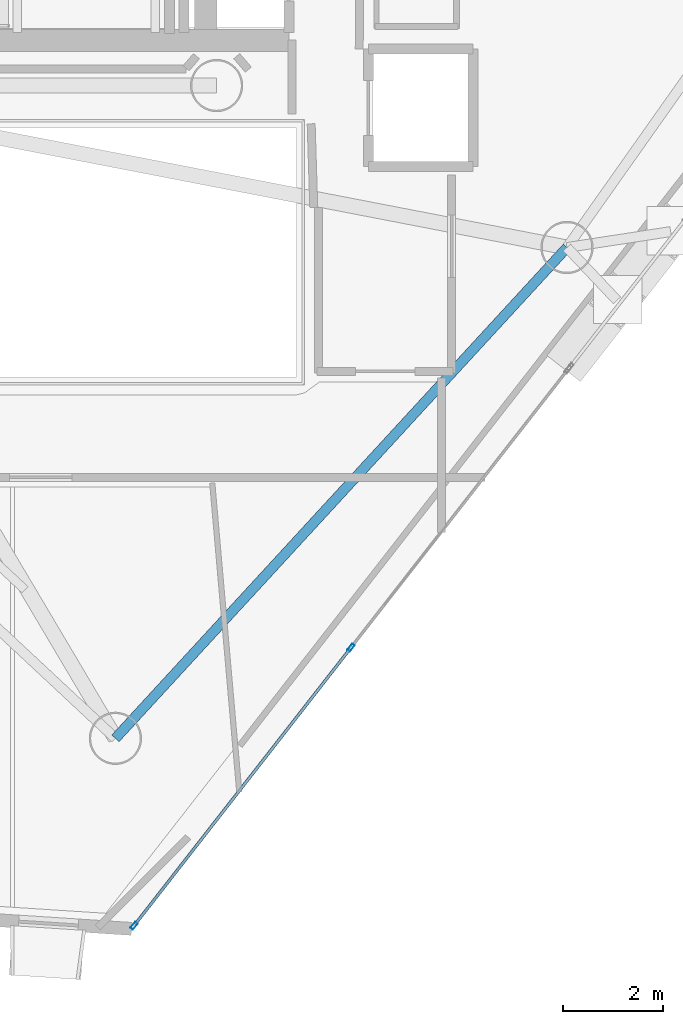
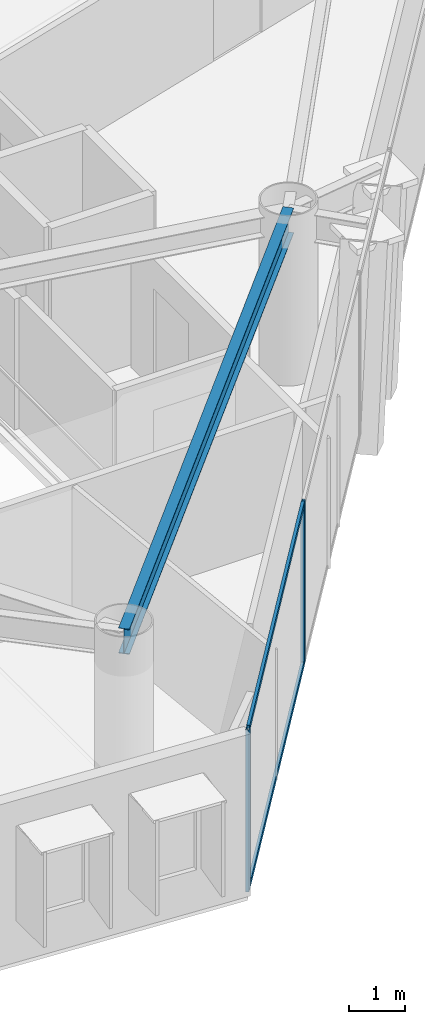
# One storey, part 4 of 18: 4 members, 1 beam, 1 element without a shape of its own.
"""IFC4 building model written with IfcOpenShell, lengths in metres."""

import ifcopenshell
import ifcopenshell.guid

model = None  # the IFC model being written
_history = None  # IfcOwnerHistory: only IFC2X3 demands one
_inside = {}  # id of a spatial element -> (the spatial element, [elements in it])
_under = {}  # id of a project, library or spatial element -> (it, [spatial elements below it])
_declared = {}  # id of a project -> (the project, [libraries it declares])
_typed = {}  # id of a type object -> (the type object, [elements of that type])
_made_of = {}  # id of a material, layer set ... -> (it, [elements and type objects made of it])


def new_model(schema):
    """Start an empty IFC model of exactly this schema.

    Asked for "IFC4X3", IfcOpenShell would pick the latest addendum, in which some entities
    have other attributes; the version numbers below select the first issue.
    IFC2X3 requires an IfcOwnerHistory on every rooted entity: one is made here for all.
    """
    global model, _history
    if schema == "IFC4X3":
        model = ifcopenshell.file(schema_version=(4, 3, 0, 0))
    else:
        model = ifcopenshell.file(schema=schema)
    _inside.clear()
    _under.clear()
    _declared.clear()
    _typed.clear()
    _made_of.clear()
    _history = None
    if model.schema == "IFC2X3":
        org = make("IfcOrganization", Name="unknown")
        user = make(
            "IfcPersonAndOrganization",
            ThePerson=make("IfcPerson", FamilyName="unknown"),
            TheOrganization=org,
        )
        app = make(
            "IfcApplication",
            ApplicationDeveloper=org,
            Version="unknown",
            ApplicationFullName="unknown",
            ApplicationIdentifier="unknown",
        )
        _history = make(
            "IfcOwnerHistory",
            OwningUser=user,
            OwningApplication=app,
            ChangeAction="ADDED",
            CreationDate=0,
        )
    return model


def make(cls, **values):
    """One entity of the class cls with the attributes given. An attribute that is None is left unset."""
    return model.create_entity(
        cls, **{name: value for name, value in values.items() if value is not None}
    )


def rooted(cls, **values):
    """An entity with a GlobalId (a new one), such as an element, a storey or a relation."""
    return make(cls, GlobalId=ifcopenshell.guid.new(), OwnerHistory=_history, **values)


def si_unit(unit_type, name, prefix=None):
    """IfcSIUnit, for example si_unit("LENGTHUNIT", "METRE", prefix="MILLI")."""
    return make("IfcSIUnit", UnitType=unit_type, Prefix=prefix, Name=name)


def assignment(units):
    """IfcUnitAssignment: the units of a project."""
    return None if units is None else make("IfcUnitAssignment", Units=units)


def point(xyz):
    """IfcCartesianPoint."""
    return None if xyz is None else make("IfcCartesianPoint", Coordinates=xyz)


def direction(xyz):
    """IfcDirection."""
    return None if xyz is None else make("IfcDirection", DirectionRatios=xyz)


def frame(location, z_axis=None, x_axis=None):
    """IfcAxis2Placement3D, a coordinate frame: its origin and axes. An axis left out is left unset."""
    return make(
        "IfcAxis2Placement3D",
        Location=point(location),
        Axis=direction(z_axis),
        RefDirection=direction(x_axis),
    )


def frame_2d(location, x_axis=None):
    """IfcAxis2Placement2D, a coordinate frame in the plane: its origin and x axis."""
    return make(
        "IfcAxis2Placement2D", Location=point(location), RefDirection=direction(x_axis)
    )


def origin():
    """The frame at (0, 0, 0) with its axes left unset."""
    return frame((0.0, 0.0, 0.0))


def origin_2d():
    """The frame at (0, 0) in the plane with its x axis left unset."""
    return frame_2d((0.0, 0.0))


def place(relative_to, where):
    """IfcLocalPlacement: puts the frame where relative to a parent placement (None: the world)."""
    return make(
        "IfcLocalPlacement", PlacementRelTo=relative_to, RelativePlacement=where
    )


def context(
    kind, dimensions, precision=None, world=None, true_north=None, identifier=None
):
    """IfcGeometricRepresentationContext, for example the 3D "Model" context."""
    return make(
        "IfcGeometricRepresentationContext",
        ContextIdentifier=identifier,
        ContextType=kind,
        CoordinateSpaceDimension=dimensions,
        Precision=precision,
        WorldCoordinateSystem=world,
        TrueNorth=true_north,
    )


def subcontext(parent, identifier, kind, view, scale=None):
    """IfcGeometricRepresentationSubContext, for example "Body" below "Model"."""
    return make(
        "IfcGeometricRepresentationSubContext",
        ContextIdentifier=identifier,
        ContextType=kind,
        ParentContext=parent,
        TargetScale=scale,
        TargetView=view,
    )


def project(units=None, contexts=None):
    """IfcProject with its units and contexts."""
    return rooted(
        "IfcProject",
        Name="project",
        RepresentationContexts=contexts,
        UnitsInContext=assignment(units),
    )


def spatial(cls, under=None, at=None, **own):
    """A site, building, storey or space (cls), placed at a placement, below another one or the project."""
    s = rooted(cls, ObjectPlacement=at, **own)
    if under is not None:
        _under.setdefault(under.id(), (under, []))[1].append(s)
    return s


def profile(cls, at=None, kind="AREA", **sizes):
    """A parametric profile (cls). Its sizes go by their IFC names, for example OverallWidth=200.0."""
    return make(cls, ProfileType=kind, Position=at, **sizes)


def hollow_rectangle(**sizes):
    """IfcRectangleHollowProfileDef."""
    return profile("IfcRectangleHollowProfileDef", **sizes)


def i_section(**sizes):
    """IfcIShapeProfileDef."""
    return profile("IfcIShapeProfileDef", **sizes)


def extrude(swept, where, along, depth):
    """IfcExtrudedAreaSolid: the profile swept, set in the frame where, extruded along a direction by depth."""
    return make(
        "IfcExtrudedAreaSolid",
        SweptArea=swept,
        Position=where,
        ExtrudedDirection=direction(along),
        Depth=depth,
    )


def shape(context_of_items, identifier, shape_type, items):
    """IfcShapeRepresentation: the items that make up one representation, for example the "Body"."""
    return make(
        "IfcShapeRepresentation",
        ContextOfItems=context_of_items,
        RepresentationIdentifier=identifier,
        RepresentationType=shape_type,
        Items=items,
    )


def material(Name=None, Category=None):
    """IfcMaterial."""
    return make("IfcMaterial", Name=Name, Category=Category)


def layer(
    of_material, thickness, ventilated=None, Name=None, Category=None, Priority=None
):
    """IfcMaterialLayer: one layer of a wall or slab, of a material (None: an air gap)."""
    return make(
        "IfcMaterialLayer",
        Material=of_material,
        LayerThickness=thickness,
        IsVentilated=ventilated,
        Name=Name,
        Category=Category,
        Priority=Priority,
    )


def layer_set(layers, Name=None):
    """IfcMaterialLayerSet."""
    return make("IfcMaterialLayerSet", MaterialLayers=layers, LayerSetName=Name)


def material_profile(
    of_material, cross_section, Name=None, Category=None, Priority=None
):
    """IfcMaterialProfile: a cross section and its material."""
    return make(
        "IfcMaterialProfile",
        Name=Name,
        Material=of_material,
        Profile=cross_section,
        Priority=Priority,
        Category=Category,
    )


def profile_set(profiles, Name=None, composite=None):
    """IfcMaterialProfileSet."""
    return make(
        "IfcMaterialProfileSet",
        Name=Name,
        MaterialProfiles=profiles,
        CompositeProfile=composite,
    )


def made_of(thing, what):
    """Note that an element or type object is made of a material, layer set ...; save() writes the relation."""
    if what is not None:
        _made_of.setdefault(what.id(), (what, []))[1].append(thing)
    return thing


def type_object(cls, material=None, **own):
    """A type object (cls), such as IfcWallType, which elements share."""
    return made_of(rooted(cls, **own), material)


def element(
    cls,
    number,
    at=None,
    inside=None,
    cuts=None,
    type_object=None,
    material=None,
    context=None,
    identifier="Body",
    shape_type=None,
    held_by="IfcProductDefinitionShape",
    body=None,
    shapes=None,
    **own,
):
    """One element of the class cls, such as IfcWall. Its Tag is "e" and its number.

    at: its placement. inside: the storey or other place that contains it. cuts: it is an
    opening in that element (IfcRelVoidsElement). A single representation is given by context,
    identifier, shape_type and body (its items); several are given by shapes. held_by: the class
    of the entity that holds the representations. save() writes the other relations.
    """
    e = rooted(cls, Tag="e%d" % number, ObjectPlacement=at, **own)
    if body is not None:
        shapes = [shape(context, identifier, shape_type, body)]
    if shapes is not None:
        e.Representation = make(held_by, Representations=shapes)
    if inside is not None:
        _inside.setdefault(inside.id(), (inside, []))[1].append(e)
    if cuts is not None:
        rooted(
            "IfcRelVoidsElement", RelatingBuildingElement=cuts, RelatedOpeningElement=e
        )
    if type_object is not None:
        _typed.setdefault(type_object.id(), (type_object, []))[1].append(e)
    return made_of(e, material)


def aggregate(whole, parts):
    """IfcRelAggregates: a whole, such as a stair, and the parts it consists of."""
    return rooted("IfcRelAggregates", RelatingObject=whole, RelatedObjects=parts)


def save(model, path):
    """Write the relations noted so far, then the file.

    IfcRelAggregates (storeys below a building ...), IfcRelContainedInSpatialStructure (elements
    in a storey), IfcRelDefinesByType, IfcRelAssociatesMaterial and IfcRelDeclares: one each for
    every whole, place, type object, material and project.
    """
    for whole, parts in _under.values():
        aggregate(whole, parts)
    for where, things in _inside.values():
        rooted(
            "IfcRelContainedInSpatialStructure",
            RelatedElements=things,
            RelatingStructure=where,
        )
    for kind, things in _typed.values():
        rooted("IfcRelDefinesByType", RelatedObjects=things, RelatingType=kind)
    for what, things in _made_of.values():
        rooted("IfcRelAssociatesMaterial", RelatedObjects=things, RelatingMaterial=what)
    for by, libraries in _declared.values():
        rooted("IfcRelDeclares", RelatingContext=by, RelatedDefinitions=libraries)
    model.write(path)


model = new_model("IFC4")

# Units and contexts
model_context = context("Model", 3, precision=1e-05, world=origin(), true_north=direction((0.0, 1.0)))
body_context = subcontext(model_context, "Body", "Model", "MODEL_VIEW")
ifc_project = project(units=[si_unit("LENGTHUNIT", "METRE"), si_unit("AREAUNIT", "SQUARE_METRE"), si_unit("VOLUMEUNIT", "CUBIC_METRE"), si_unit("PLANEANGLEUNIT", "RADIAN"), si_unit("MASSUNIT", "GRAM", prefix="KILO")], contexts=[model_context])

# Site, building, storey
site_placement = place(None, origin())
site = spatial("IfcSite", under=ifc_project, at=site_placement, CompositionType="ELEMENT")
building_placement = place(site_placement, origin())
building = spatial("IfcBuilding", under=site, at=building_placement, Name="Qianvela Tower", CompositionType="ELEMENT")
storey_placement = place(building_placement, frame((0.0, 0.0, 264.89990234375)))
storey = spatial("IfcBuildingStorey", under=building, at=storey_placement, Name="L68", CompositionType="ELEMENT", Elevation=264.89990234375)

# Beam
ifc_material_1 = material(Name="Steel Q355B", Category="steel")
ifc_material_profile_1 = material_profile(ifc_material_1, i_section(OverallWidth=0.199951171875, OverallDepth=0.550048828125, WebThickness=0.010009765625, FlangeThickness=0.01611328125, at=origin_2d()), Name="HN550x200x10x16")
ifc_profile_set_1 = profile_set([ifc_material_profile_1], Name="Steel Q355B")
beam_type = type_object("IfcBeamType", Name="BM-HN550-GIRD", PredefinedType="BEAM", material=ifc_profile_set_1)
beam_placement = place(storey_placement, frame((36.368896484375, 10.741943359375, 3.2431640625), z_axis=(0.677042708154, 0.735943728376, 0.0), x_axis=(-0.735943728376, 0.677042708154, 0.0)))
element("IfcBeam", 1, at=beam_placement, inside=storey, type_object=beam_type, Name="L68 Perimeter Ring Spandrel Girder 5", PredefinedType="BEAM", context=body_context, shape_type="SweptSolid", body=[
    extrude(i_section(OverallWidth=0.199951171875, OverallDepth=0.550048828125, WebThickness=0.010009765625, FlangeThickness=0.01611328125, at=origin_2d()), origin(), (0.0, 0.0, 1.0), 13.392333984375),
])

# Curtain wall, members
ifc_material_2 = material(Name="Anodised Architectural Aluminium and Low-E Glass", Category="aluminium")
ifc_layer = layer(ifc_material_2, 0.159912109375)
ifc_layer_set = layer_set([ifc_layer], Name="Anodised Architectural Aluminium and Low-E Glass")
curtain_wall_type = type_object("IfcCurtainWallType", Name="CW-COLIV-Z56", PredefinedType="USERDEFINED", material=ifc_layer_set)
curtain_wall_placement = place(storey_placement, origin())
curtain_wall = element("IfcCurtainWall", 2, at=curtain_wall_placement, inside=storey, type_object=curtain_wall_type, Name="L68 CW-COLIV-Z56 Curtain Wall 06A", ObjectType="CURTAIN_WALL_SYSTEM", PredefinedType="USERDEFINED")
ifc_material_3 = material(Name="Anodised Architectural Aluminium 6063-T6", Category="aluminium")
ifc_material_profile_2 = material_profile(ifc_material_3, hollow_rectangle(XDim=0.06494140625, YDim=0.159912109375, WallThickness=0.0048828125, at=origin_2d()), Name="ALU-MULL-65x160")
ifc_profile_set_2 = profile_set([ifc_material_profile_2], Name="Anodised Architectural Aluminium 6063-T6")
member_type_1 = type_object("IfcMemberType", Name="CW-COLIV-Z56-MULL", PredefinedType="MULLION", material=ifc_profile_set_2)
member_1_placement = place(storey_placement, frame((36.7431640625, 6.9794921875, 0.0), z_axis=(0.0, 0.0, 1.0), x_axis=(-0.788364331292, 0.615208648465, 0.0)))
member_1 = element("IfcMember", 3, at=member_1_placement, type_object=member_type_1, Name="CW-5 mullion 1", PredefinedType="MULLION", context=body_context, shape_type="SweptSolid", body=[
    extrude(hollow_rectangle(XDim=0.06494140625, YDim=0.159912109375, WallThickness=0.0048828125, at=origin_2d()), origin(), (0.0, 0.0, 1.0), 3.52001953125),
])
member_2_placement = place(storey_placement, frame((41.100341796875, 12.56298828125, 0.0), z_axis=(0.0, 0.0, 1.0), x_axis=(-0.788364331292, 0.615208648465, 0.0)))
member_2 = element("IfcMember", 4, at=member_2_placement, type_object=member_type_1, Name="CW-5 mullion 2", PredefinedType="MULLION", context=body_context, shape_type="SweptSolid", body=[
    extrude(hollow_rectangle(XDim=0.06494140625, YDim=0.159912109375, WallThickness=0.0048828125, at=origin_2d()), origin(), (0.0, 0.0, 1.0), 3.52001953125),
])
ifc_material_4 = material(Name="Anodised Architectural Aluminium 6063-T6", Category="aluminium")
ifc_material_profile_3 = material_profile(ifc_material_4, hollow_rectangle(XDim=0.06005859375, YDim=0.114990234375, WallThickness=0.00390625, at=origin_2d()), Name="ALU-TRAN-60x115")
ifc_profile_set_3 = profile_set([ifc_material_profile_3], Name="Anodised Architectural Aluminium 6063-T6")
member_type_2 = type_object("IfcMemberType", Name="CW-COLIV-Z56-TRAN", PredefinedType="USERDEFINED", material=ifc_profile_set_3)
member_3_placement = place(storey_placement, frame((36.76318359375, 7.005126953125, 0.030029296875), z_axis=(0.61519228216, 0.788377102642, 0.0), x_axis=(-0.788377102642, 0.61519228216, 0.0)))
member_3 = element("IfcMember", 5, at=member_3_placement, type_object=member_type_2, Name="CW-5 transom 1.1", ObjectType="TRANSOM", PredefinedType="USERDEFINED", context=body_context, shape_type="SweptSolid", body=[
    extrude(hollow_rectangle(XDim=0.06005859375, YDim=0.114990234375, WallThickness=0.00390625, at=origin_2d()), origin(), (0.0, 0.0, 1.0), 7.017578125),
])
member_4_placement = place(storey_placement, frame((36.76318359375, 7.005126953125, 3.489990234375), z_axis=(0.61519228216, 0.788377102642, 0.0), x_axis=(-0.788377102642, 0.61519228216, 0.0)))
member_4 = element("IfcMember", 6, at=member_4_placement, type_object=member_type_2, Name="CW-5 transom 1.2", ObjectType="TRANSOM", PredefinedType="USERDEFINED", context=body_context, shape_type="SweptSolid", body=[
    extrude(hollow_rectangle(XDim=0.06005859375, YDim=0.114990234375, WallThickness=0.00390625, at=origin_2d()), origin(), (0.0, 0.0, 1.0), 7.017578125),
])
aggregate(curtain_wall, [member_1, member_2, member_3, member_4])

save(model, "model.ifc")
